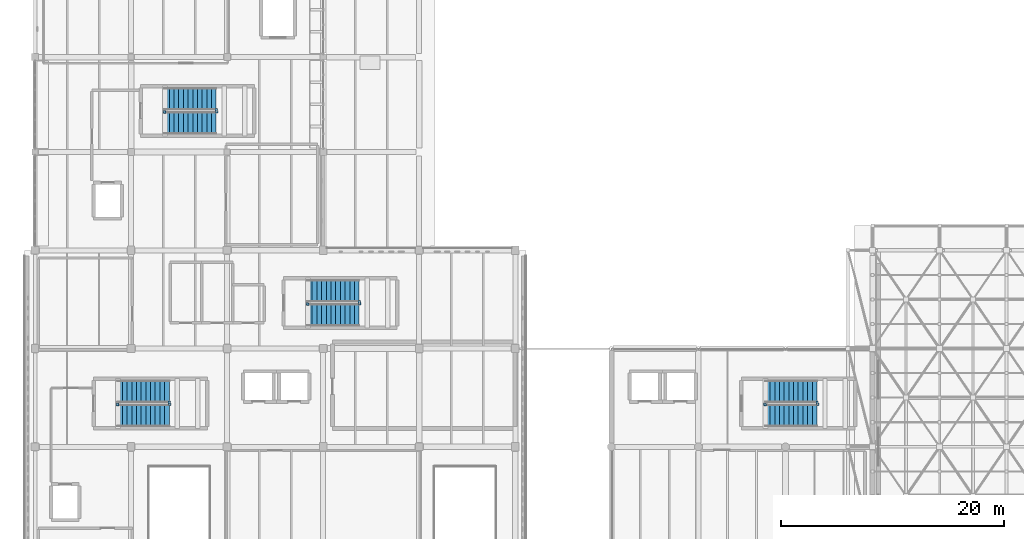
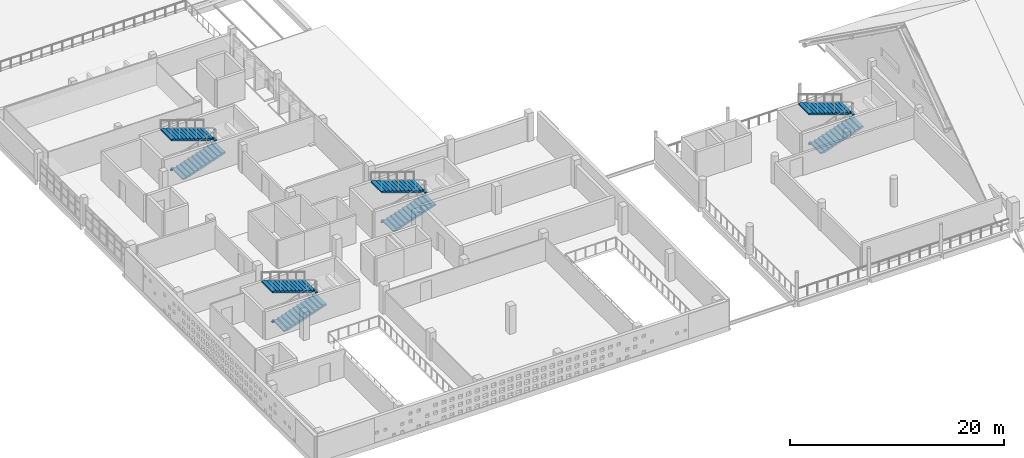
# One storey, part 46 of 55: 16 discrete accessories, 8 stair flights, 4 elements without a shape of their own.
"""IFC4 building model written with IfcOpenShell, lengths in metres."""

from ifc_helpers import new_model, si_unit, direction, frame, origin, origin_2d, place, context, subcontext, project, spatial, polyline, rectangle, outline, extrude, material, type_object, element, aggregate, save


model = new_model("IFC4")

# Units and contexts
model_context = context("Model", 3, precision=1e-05, world=origin(), true_north=direction((0.0, 1.0)))
body_context = subcontext(model_context, "Body", "Model", "MODEL_VIEW")
ifc_project = project(units=[si_unit("LENGTHUNIT", "METRE"), si_unit("AREAUNIT", "SQUARE_METRE"), si_unit("VOLUMEUNIT", "CUBIC_METRE"), si_unit("PLANEANGLEUNIT", "RADIAN"), si_unit("MASSUNIT", "GRAM", prefix="KILO")], contexts=[model_context])

# Site, building, storey
site_placement = place(None, origin())
site = spatial("IfcSite", under=ifc_project, at=site_placement, CompositionType="ELEMENT")
building_placement = place(site_placement, origin())
building = spatial("IfcBuilding", under=site, at=building_placement, Name="Varnakota Cinema and Media Centre", CompositionType="ELEMENT")
storey_placement = place(building_placement, frame((0.0, 0.0, 15.60009765625)))
storey = spatial("IfcBuildingStorey", under=building, at=storey_placement, Name="L04", CompositionType="ELEMENT", Elevation=15.60009765625)

# Stair, stair flights
ifc_material_1 = material(Name="Concrete M35", Category="concrete")
stair_type_1 = type_object("IfcStairType", Name="STR-CORE-ST-01-2000", PredefinedType="HALF_TURN_STAIR", material=ifc_material_1)
stair_1_placement = place(storey_placement, origin())
stair_1 = element("IfcStair", 1, at=stair_1_placement, inside=storey, type_object=stair_type_1, Name="L04 West Firefighting Stair 1", PredefinedType="HALF_TURN_STAIR")
ifc_material_2 = material(Name="Concrete M35", Category="concrete")
stair_flight_type_1 = type_object("IfcStairFlightType", Name="STF-CORE-ST-01-2000", PredefinedType="STRAIGHT", material=ifc_material_2)
stair_flight_1_placement = place(storey_placement, frame((7.39990234375, 20.39990234375, 0.0), z_axis=(0.0, 0.0, 1.0), x_axis=(1.0, 0.0, 0.0)))
stair_flight_1 = element("IfcStairFlight", 2, at=stair_flight_1_placement, type_object=stair_flight_type_1, Name="ST-01 flight 1", NumberOfRisers=12, NumberOfTreads=11, PredefinedType="STRAIGHT", RiserHeight=0.14375, TreadLength=0.42, context=body_context, shape_type="SweptSolid", body=[
    extrude(outline(polyline([(0.0, 0.0), (0.0, 0.143798828125), (0.419921875, 0.143798828125), (0.419921875, 0.28759765625), (0.840087890625, 0.28759765625), (0.840087890625, 0.43115234375), (1.260009765625, 0.43115234375), (1.260009765625, 0.574951171875), (1.679931640625, 0.574951171875), (1.679931640625, 0.71875), (2.10009765625, 0.71875), (2.10009765625, 0.862548828125), (2.52001953125, 0.862548828125), (2.52001953125, 1.00634765625), (2.93994140625, 1.00634765625), (2.93994140625, 1.14990234375), (3.360107421875, 1.14990234375), (3.360107421875, 1.293701171875), (3.780029296875, 1.293701171875), (3.780029296875, 1.4375), (4.199951171875, 1.4375), (4.199951171875, 1.581298828125), (4.6201171875, 1.581298828125), (4.6201171875, 1.72509765625), (4.6201171875, 1.4228515625), (0.462890625, 0.0), (0.0, 0.0)])), frame((0.0, 1.0, 0.0), z_axis=(0.0, -1.0, 0.0), x_axis=(1.0, 0.0, 0.0)), (0.0, 0.0, 1.0), 2.0),
])
stair_flight_2_placement = place(storey_placement, frame((12.02001953125, 22.550048828125, 1.724853515625), z_axis=(0.0, 0.0, 1.0), x_axis=(-1.0, 0.0, 0.0)))
stair_flight_2 = element("IfcStairFlight", 3, at=stair_flight_2_placement, type_object=stair_flight_type_1, Name="ST-01 flight 2", NumberOfRisers=12, NumberOfTreads=11, PredefinedType="STRAIGHT", RiserHeight=0.14375, TreadLength=0.42, context=body_context, shape_type="SweptSolid", body=[
    extrude(outline(polyline([(0.0, 0.0), (0.0, 0.143798828125), (0.419921875, 0.143798828125), (0.419921875, 0.28759765625), (0.840087890625, 0.28759765625), (0.840087890625, 0.43115234375), (1.260009765625, 0.43115234375), (1.260009765625, 0.574951171875), (1.679931640625, 0.574951171875), (1.679931640625, 0.71875), (2.10009765625, 0.71875), (2.10009765625, 0.862548828125), (2.52001953125, 0.862548828125), (2.52001953125, 1.00634765625), (2.93994140625, 1.00634765625), (2.93994140625, 1.14990234375), (3.360107421875, 1.14990234375), (3.360107421875, 1.293701171875), (3.780029296875, 1.293701171875), (3.780029296875, 1.4375), (4.199951171875, 1.4375), (4.199951171875, 1.581298828125), (4.6201171875, 1.581298828125), (4.6201171875, 1.72509765625), (4.6201171875, 1.4228515625), (0.462890625, 0.0), (0.0, 0.0)])), frame((0.0, 1.0, 0.0), z_axis=(0.0, -1.0, 0.0), x_axis=(1.0, 0.0, 0.0)), (0.0, 0.0, 1.0), 2.0),
])
aggregate(stair_1, [stair_flight_1, stair_flight_2])

ifc_material_3 = material(Name="Concrete M35", Category="concrete")
stair_type_2 = type_object("IfcStairType", Name="STR-CORE-ST-02-2000", PredefinedType="HALF_TURN_STAIR", material=ifc_material_3)
stair_2_placement = place(storey_placement, origin())
stair_2 = element("IfcStair", 4, at=stair_2_placement, inside=storey, type_object=stair_type_2, Name="L04 Cinema North Escape Stair 2", PredefinedType="HALF_TURN_STAIR")
ifc_material_4 = material(Name="Concrete M35", Category="concrete")
stair_flight_type_2 = type_object("IfcStairFlightType", Name="STF-CORE-ST-02-2000", PredefinedType="STRAIGHT", material=ifc_material_4)
stair_flight_3_placement = place(storey_placement, frame((24.39990234375, 29.39990234375, 0.0), z_axis=(0.0, 0.0, 1.0), x_axis=(1.0, 0.0, 0.0)))
stair_flight_3 = element("IfcStairFlight", 5, at=stair_flight_3_placement, type_object=stair_flight_type_2, Name="ST-02 flight 1", NumberOfRisers=12, NumberOfTreads=11, PredefinedType="STRAIGHT", RiserHeight=0.14375, TreadLength=0.42, context=body_context, shape_type="SweptSolid", body=[
    extrude(outline(polyline([(0.0, 0.0), (0.0, 0.143798828125), (0.419921875, 0.143798828125), (0.419921875, 0.28759765625), (0.840087890625, 0.28759765625), (0.840087890625, 0.43115234375), (1.260009765625, 0.43115234375), (1.260009765625, 0.574951171875), (1.679931640625, 0.574951171875), (1.679931640625, 0.71875), (2.10009765625, 0.71875), (2.10009765625, 0.862548828125), (2.52001953125, 0.862548828125), (2.52001953125, 1.00634765625), (2.93994140625, 1.00634765625), (2.93994140625, 1.14990234375), (3.360107421875, 1.14990234375), (3.360107421875, 1.293701171875), (3.780029296875, 1.293701171875), (3.780029296875, 1.4375), (4.199951171875, 1.4375), (4.199951171875, 1.581298828125), (4.6201171875, 1.581298828125), (4.6201171875, 1.72509765625), (4.6201171875, 1.4228515625), (0.462890625, 0.0), (0.0, 0.0)])), frame((0.0, 1.0, 0.0), z_axis=(0.0, -1.0, 0.0), x_axis=(1.0, 0.0, 0.0)), (0.0, 0.0, 1.0), 2.0),
])
stair_flight_4_placement = place(storey_placement, frame((29.02001953125, 31.550048828125, 1.724853515625), z_axis=(0.0, 0.0, 1.0), x_axis=(-1.0, 0.0, 0.0)))
stair_flight_4 = element("IfcStairFlight", 6, at=stair_flight_4_placement, type_object=stair_flight_type_2, Name="ST-02 flight 2", NumberOfRisers=12, NumberOfTreads=11, PredefinedType="STRAIGHT", RiserHeight=0.14375, TreadLength=0.42, context=body_context, shape_type="SweptSolid", body=[
    extrude(outline(polyline([(0.0, 0.0), (0.0, 0.143798828125), (0.419921875, 0.143798828125), (0.419921875, 0.28759765625), (0.840087890625, 0.28759765625), (0.840087890625, 0.43115234375), (1.260009765625, 0.43115234375), (1.260009765625, 0.574951171875), (1.679931640625, 0.574951171875), (1.679931640625, 0.71875), (2.10009765625, 0.71875), (2.10009765625, 0.862548828125), (2.52001953125, 0.862548828125), (2.52001953125, 1.00634765625), (2.93994140625, 1.00634765625), (2.93994140625, 1.14990234375), (3.360107421875, 1.14990234375), (3.360107421875, 1.293701171875), (3.780029296875, 1.293701171875), (3.780029296875, 1.4375), (4.199951171875, 1.4375), (4.199951171875, 1.581298828125), (4.6201171875, 1.581298828125), (4.6201171875, 1.72509765625), (4.6201171875, 1.4228515625), (0.462890625, 0.0), (0.0, 0.0)])), frame((0.0, 1.0, 0.0), z_axis=(0.0, -1.0, 0.0), x_axis=(1.0, 0.0, 0.0)), (0.0, 0.0, 1.0), 2.0),
])
aggregate(stair_2, [stair_flight_3, stair_flight_4])

ifc_material_5 = material(Name="Concrete M35", Category="concrete")
stair_type_3 = type_object("IfcStairType", Name="STR-CORE-ST-03-2000", PredefinedType="HALF_TURN_STAIR", material=ifc_material_5)
stair_3_placement = place(storey_placement, origin())
stair_3 = element("IfcStair", 7, at=stair_3_placement, inside=storey, type_object=stair_type_3, Name="L04 Studio Firefighting Stair 3", PredefinedType="HALF_TURN_STAIR")
ifc_material_6 = material(Name="Concrete M35", Category="concrete")
stair_flight_type_3 = type_object("IfcStairFlightType", Name="STF-CORE-ST-03-2000", PredefinedType="STRAIGHT", material=ifc_material_6)
stair_flight_5_placement = place(storey_placement, frame((11.60009765625, 46.60009765625, 0.0), z_axis=(0.0, 0.0, 1.0), x_axis=(1.0, 0.0, 0.0)))
stair_flight_5 = element("IfcStairFlight", 8, at=stair_flight_5_placement, type_object=stair_flight_type_3, Name="ST-03 flight 1", NumberOfRisers=12, NumberOfTreads=11, PredefinedType="STRAIGHT", RiserHeight=0.14375, TreadLength=0.42, context=body_context, shape_type="SweptSolid", body=[
    extrude(outline(polyline([(0.0, 0.0), (0.0, 0.143798828125), (0.419921875, 0.143798828125), (0.419921875, 0.28759765625), (0.840087890625, 0.28759765625), (0.840087890625, 0.43115234375), (1.260009765625, 0.43115234375), (1.260009765625, 0.574951171875), (1.679931640625, 0.574951171875), (1.679931640625, 0.71875), (2.10009765625, 0.71875), (2.10009765625, 0.862548828125), (2.52001953125, 0.862548828125), (2.52001953125, 1.00634765625), (2.93994140625, 1.00634765625), (2.93994140625, 1.14990234375), (3.360107421875, 1.14990234375), (3.360107421875, 1.293701171875), (3.780029296875, 1.293701171875), (3.780029296875, 1.4375), (4.199951171875, 1.4375), (4.199951171875, 1.581298828125), (4.6201171875, 1.581298828125), (4.6201171875, 1.72509765625), (4.6201171875, 1.4228515625), (0.462890625, 0.0), (0.0, 0.0)])), frame((0.0, 1.0, 0.0), z_axis=(0.0, -1.0, 0.0), x_axis=(1.0, 0.0, 0.0)), (0.0, 0.0, 1.0), 2.0),
])
stair_flight_6_placement = place(storey_placement, frame((16.219970703125, 48.75, 1.724853515625), z_axis=(0.0, 0.0, 1.0), x_axis=(-1.0, 0.0, 0.0)))
stair_flight_6 = element("IfcStairFlight", 9, at=stair_flight_6_placement, type_object=stair_flight_type_3, Name="ST-03 flight 2", NumberOfRisers=12, NumberOfTreads=11, PredefinedType="STRAIGHT", RiserHeight=0.14375, TreadLength=0.42, context=body_context, shape_type="SweptSolid", body=[
    extrude(outline(polyline([(0.0, 0.0), (0.0, 0.143798828125), (0.419921875, 0.143798828125), (0.419921875, 0.28759765625), (0.840087890625, 0.28759765625), (0.840087890625, 0.43115234375), (1.260009765625, 0.43115234375), (1.260009765625, 0.574951171875), (1.679931640625, 0.574951171875), (1.679931640625, 0.71875), (2.10009765625, 0.71875), (2.10009765625, 0.862548828125), (2.52001953125, 0.862548828125), (2.52001953125, 1.00634765625), (2.93994140625, 1.00634765625), (2.93994140625, 1.14990234375), (3.360107421875, 1.14990234375), (3.360107421875, 1.293701171875), (3.780029296875, 1.293701171875), (3.780029296875, 1.4375), (4.199951171875, 1.4375), (4.199951171875, 1.581298828125), (4.6201171875, 1.581298828125), (4.6201171875, 1.72509765625), (4.6201171875, 1.4228515625), (0.462890625, 0.0), (0.0, 0.0)])), frame((0.0, 1.0, 0.0), z_axis=(0.0, -1.0, 0.0), x_axis=(1.0, 0.0, 0.0)), (0.0, 0.0, 1.0), 2.0),
])
aggregate(stair_3, [stair_flight_5, stair_flight_6])

ifc_material_7 = material(Name="Concrete M35", Category="concrete")
stair_type_4 = type_object("IfcStairType", Name="STR-CORE-ST-04-2000", PredefinedType="HALF_TURN_STAIR", material=ifc_material_7)
stair_4_placement = place(storey_placement, origin())
stair_4 = element("IfcStair", 10, at=stair_4_placement, inside=storey, type_object=stair_type_4, Name="L04 Foyer and Terrace Escape Stair 4", PredefinedType="HALF_TURN_STAIR")
ifc_material_8 = material(Name="Concrete M35", Category="concrete")
stair_flight_type_4 = type_object("IfcStairFlightType", Name="STF-CORE-ST-04-2000", PredefinedType="STRAIGHT", material=ifc_material_8)
stair_flight_7_placement = place(storey_placement, frame((65.39990234375, 20.39990234375, 0.0), z_axis=(0.0, 0.0, 1.0), x_axis=(1.0, 0.0, 0.0)))
stair_flight_7 = element("IfcStairFlight", 11, at=stair_flight_7_placement, type_object=stair_flight_type_4, Name="ST-04 flight 1", NumberOfRisers=12, NumberOfTreads=11, PredefinedType="STRAIGHT", RiserHeight=0.14375, TreadLength=0.42, context=body_context, shape_type="SweptSolid", body=[
    extrude(outline(polyline([(0.0, 0.0), (0.0, 0.143798828125), (0.419921875, 0.143798828125), (0.419921875, 0.28759765625), (0.840087890625, 0.28759765625), (0.840087890625, 0.43115234375), (1.260009765625, 0.43115234375), (1.260009765625, 0.574951171875), (1.679931640625, 0.574951171875), (1.679931640625, 0.71875), (2.10009765625, 0.71875), (2.10009765625, 0.862548828125), (2.52001953125, 0.862548828125), (2.52001953125, 1.00634765625), (2.93994140625, 1.00634765625), (2.93994140625, 1.14990234375), (3.360107421875, 1.14990234375), (3.360107421875, 1.293701171875), (3.780029296875, 1.293701171875), (3.780029296875, 1.4375), (4.199951171875, 1.4375), (4.199951171875, 1.581298828125), (4.6201171875, 1.581298828125), (4.6201171875, 1.72509765625), (4.6201171875, 1.4228515625), (0.462890625, 0.0), (0.0, 0.0)])), frame((0.0, 1.0, 0.0), z_axis=(0.0, -1.0, 0.0), x_axis=(1.0, 0.0, 0.0)), (0.0, 0.0, 1.0), 2.0),
])
stair_flight_8_placement = place(storey_placement, frame((70.02001953125, 22.550048828125, 1.724853515625), z_axis=(0.0, 0.0, 1.0), x_axis=(-1.0, 0.0, 0.0)))
stair_flight_8 = element("IfcStairFlight", 12, at=stair_flight_8_placement, type_object=stair_flight_type_4, Name="ST-04 flight 2", NumberOfRisers=12, NumberOfTreads=11, PredefinedType="STRAIGHT", RiserHeight=0.14375, TreadLength=0.42, context=body_context, shape_type="SweptSolid", body=[
    extrude(outline(polyline([(0.0, 0.0), (0.0, 0.143798828125), (0.419921875, 0.143798828125), (0.419921875, 0.28759765625), (0.840087890625, 0.28759765625), (0.840087890625, 0.43115234375), (1.260009765625, 0.43115234375), (1.260009765625, 0.574951171875), (1.679931640625, 0.574951171875), (1.679931640625, 0.71875), (2.10009765625, 0.71875), (2.10009765625, 0.862548828125), (2.52001953125, 0.862548828125), (2.52001953125, 1.00634765625), (2.93994140625, 1.00634765625), (2.93994140625, 1.14990234375), (3.360107421875, 1.14990234375), (3.360107421875, 1.293701171875), (3.780029296875, 1.293701171875), (3.780029296875, 1.4375), (4.199951171875, 1.4375), (4.199951171875, 1.581298828125), (4.6201171875, 1.581298828125), (4.6201171875, 1.72509765625), (4.6201171875, 1.4228515625), (0.462890625, 0.0), (0.0, 0.0)])), frame((0.0, 1.0, 0.0), z_axis=(0.0, -1.0, 0.0), x_axis=(1.0, 0.0, 0.0)), (0.0, 0.0, 1.0), 2.0),
])
aggregate(stair_4, [stair_flight_7, stair_flight_8])

# Discrete accessories
ifc_material_9 = material(Name="Structural steel Grade 350 (E350)", Category="steel")
discrete_accessory_type = type_object("IfcDiscreteAccessoryType", Name="ACC-BRACKET-SG", PredefinedType="BRACKET", material=ifc_material_9)
for number, where, z_axis, x_axis, name in (
    (13, (7.39990234375, 21.35009765625, 0.0537109375), (0.0, 0.0, 1.0), (1.0, 0.0, 0.0), "L04 stair guard base bracket ST-01-L04-G1"),
    (14, (12.070068359375, 21.39990234375, 1.634765625), (0.0, 0.0, 1.0), (1.0, 0.0, 0.0), "L04 stair guard base bracket ST-01-L04-G2"),
    (15, (12.02001953125, 21.60009765625, 1.77880859375), (0.0, 0.0, 1.0), (1.0, 0.0, 0.0), "L04 stair guard base bracket ST-01-L04-G3"),
    (16, (7.35009765625, 21.39990234375, -0.08984375), (0.0, 0.0, 1.0), (1.0, 0.0, 0.0), "L04 stair guard base bracket ST-01-L04-G4"),
    (17, (24.39990234375, 30.35009765625, 0.0537109375), (0.0, 0.0, 1.0), (1.0, 0.0, 0.0), "L04 stair guard base bracket ST-02-L04-G1"),
    (18, (29.070068359375, 30.39990234375, 1.634765625), (0.0, 0.0, 1.0), (1.0, 0.0, 0.0), "L04 stair guard base bracket ST-02-L04-G2"),
    (19, (29.02001953125, 30.60009765625, 1.77880859375), (0.0, 0.0, 1.0), (1.0, 0.0, 0.0), "L04 stair guard base bracket ST-02-L04-G3"),
    (20, (24.35009765625, 30.39990234375, -0.08984375), (0.0, 0.0, 1.0), (1.0, 0.0, 0.0), "L04 stair guard base bracket ST-02-L04-G4"),
    (21, (11.60009765625, 47.550048828125, 0.0537109375), (0.0, 0.0, 1.0), (1.0, 0.0, 0.0), "L04 stair guard base bracket ST-03-L04-G1"),
    (22, (16.27001953125, 47.60009765625, 1.634765625), (0.0, 0.0, 1.0), (1.0, 0.0, 0.0), "L04 stair guard base bracket ST-03-L04-G2"),
    (23, (16.219970703125, 47.800048828125, 1.77880859375), (0.0, 0.0, 1.0), (1.0, 0.0, 0.0), "L04 stair guard base bracket ST-03-L04-G3"),
    (24, (11.550048828125, 47.60009765625, -0.08984375), (0.0, 0.0, 1.0), (1.0, 0.0, 0.0), "L04 stair guard base bracket ST-03-L04-G4"),
    (25, (65.39990234375, 21.35009765625, 0.0537109375), (0.0, 0.0, 1.0), (1.0, 0.0, 0.0), "L04 stair guard base bracket ST-04-L04-G1"),
    (26, (70.070068359375, 21.39990234375, 1.634765625), (0.0, 0.0, 1.0), (1.0, 0.0, 0.0), "L04 stair guard base bracket ST-04-L04-G2"),
    (27, (70.02001953125, 21.60009765625, 1.77880859375), (0.0, 0.0, 1.0), (1.0, 0.0, 0.0), "L04 stair guard base bracket ST-04-L04-G3"),
    (28, (65.35009765625, 21.39990234375, -0.08984375), (0.0, 0.0, 1.0), (1.0, 0.0, 0.0), "L04 stair guard base bracket ST-04-L04-G4"),
):
    element("IfcDiscreteAccessory", number, at=place(storey_placement, frame(where, z_axis=z_axis, x_axis=x_axis)), inside=storey, type_object=discrete_accessory_type, Name=name, PredefinedType="BRACKET", context=body_context, shape_type="SweptSolid", body=[
        extrude(rectangle(XDim=0.219970703125, YDim=0.219970703125, at=origin_2d()), origin(), (0.0, 0.0, 1.0), 0.139892578125),
    ])

save(model, "model.ifc")
